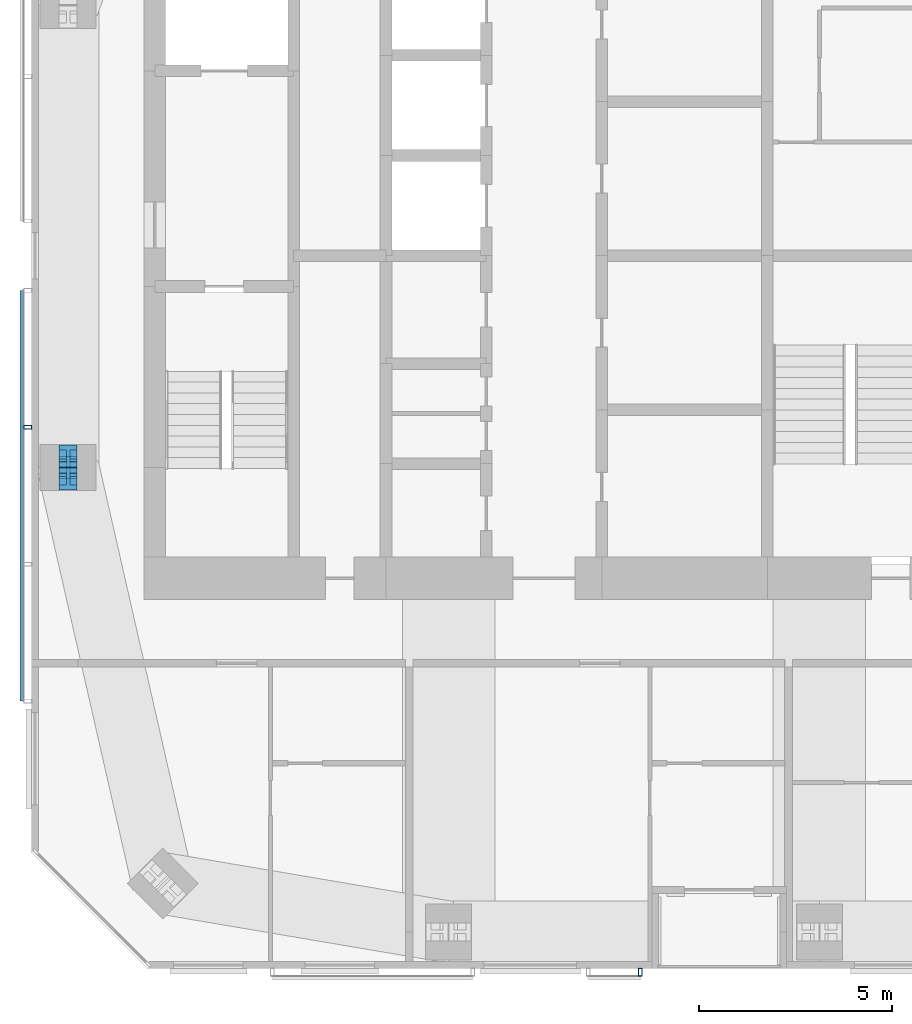
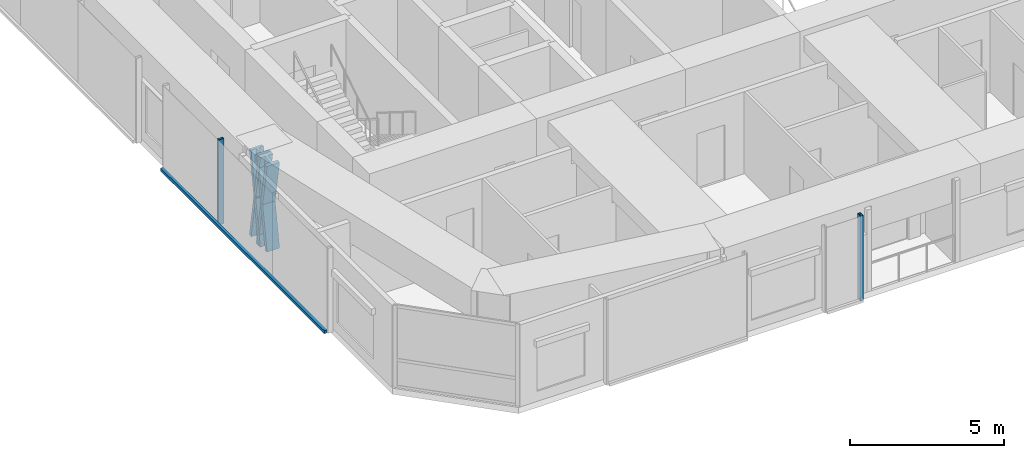
# One storey, part 4 of 20: 7 members, 2 elements without a shape of their own.
"""IFC4 building model written with IfcOpenShell, lengths in metres."""

from ifc_helpers import new_model, si_unit, direction, frame, origin, origin_2d, place, context, subcontext, project, spatial, rectangle, hollow_rectangle, i_section, extrude, material, material_profile, profile_set, type_object, element, aggregate, save


model = new_model("IFC4")

# Units and contexts
model_context = context("Model", 3, precision=1e-05, world=origin(), true_north=direction((0.0, 1.0)))
body_context = subcontext(model_context, "Body", "Model", "MODEL_VIEW")
ifc_project = project(units=[si_unit("LENGTHUNIT", "METRE"), si_unit("AREAUNIT", "SQUARE_METRE"), si_unit("VOLUMEUNIT", "CUBIC_METRE"), si_unit("PLANEANGLEUNIT", "RADIAN"), si_unit("MASSUNIT", "GRAM", prefix="KILO")], contexts=[model_context])

# Site, building, storey
site_placement = place(None, origin())
site = spatial("IfcSite", under=ifc_project, at=site_placement, CompositionType="ELEMENT")
building_placement = place(site_placement, origin())
building = spatial("IfcBuilding", under=site, at=building_placement, Name="Jalousie Tower", CompositionType="ELEMENT")
storey_placement = place(building_placement, frame((0.0, 0.0, 245.949951171875)))
storey = spatial("IfcBuildingStorey", under=building, at=storey_placement, Name="L67", CompositionType="ELEMENT", Elevation=245.949951171875)

# Members
ifc_material_1 = material(Name="Steel ASTM A992 Grade 50", Category="steel")
ifc_material_profile_1 = material_profile(ifc_material_1, i_section(OverallWidth=0.472412109375, OverallDepth=0.5791015625, WebThickness=0.094970703125, FlangeThickness=0.1298828125, at=origin_2d()), Name="W14X808")
ifc_profile_set_1 = profile_set([ifc_material_profile_1], Name="Steel ASTM A992 Grade 50")
member_type_1 = type_object("IfcMemberType", Name="PERIMETER BRACE W14X808", PredefinedType="BRACE", material=ifc_profile_set_1)
for number, where, z_axis, x_axis, name in (
    (1, (17.75, 12.699951171875, -0.599853515625), (0.0, 0.168990530437, 0.98561767467), (-1.0, 0.0, 0.0), "Perimeter brace 14 L67 part 1"),
    (2, (17.75, 13.0, 1.150146484375), (0.0, 0.168990530437, 0.98561767467), (-1.0, 0.0, 0.0), "Perimeter brace 14 L67 part 2"),
    (3, (17.75, 13.300048828125, -0.599853515625), (0.0, -0.168990530437, 0.98561767467), (1.0, 0.0, 0.0), "Perimeter brace 14 L67 part 3"),
    (4, (17.75, 13.0, 1.150146484375), (0.0, -0.168990530437, 0.98561767467), (1.0, 0.0, 0.0), "Perimeter brace 14 L67 part 4"),
):
    element("IfcMember", number, at=place(storey_placement, frame(where, z_axis=z_axis, x_axis=x_axis)), inside=storey, type_object=member_type_1, Name=name, PredefinedType="BRACE", context=body_context, shape_type="SweptSolid", body=[
        extrude(i_section(OverallWidth=0.472412109375, OverallDepth=0.5791015625, WebThickness=0.094970703125, FlangeThickness=0.1298828125, at=origin_2d()), origin(), (0.0, 0.0, 1.0), 1.775634765625),
    ])

# Curtain wall, member
ifc_material_2 = material(Name="Perforated aluminium sheet", Category="aluminium")
curtain_wall_type = type_object("IfcCurtainWallType", Name="SOLAR SCREEN SS-2", PredefinedType="USERDEFINED", material=ifc_material_2)
curtain_wall_1_placement = place(storey_placement, origin())
curtain_wall_1 = element("IfcCurtainWall", 5, at=curtain_wall_1_placement, inside=storey, type_object=curtain_wall_type, Name="Solar screen L67", ObjectType="SOLAR SCREEN SS-2", PredefinedType="USERDEFINED")
ifc_material_3 = material(Name="Steel ASTM A500 Grade C", Category="steel")
ifc_material_profile_2 = material_profile(ifc_material_3, hollow_rectangle(XDim=0.1015625, YDim=0.203125, WallThickness=0.0078125, at=origin_2d()), Name="HSS8X4X5/16")
ifc_profile_set_2 = profile_set([ifc_material_profile_2], Name="Steel ASTM A500 Grade C")
member_type_2 = type_object("IfcMemberType", Name="SOLAR SCREEN SS-2 MULLION", PredefinedType="MULLION", material=ifc_profile_set_2)
member_1_placement = place(storey_placement, frame((32.60009765625, -0.0966796875, -0.119873046875), z_axis=(0.0, 0.0, 1.0), x_axis=(1.0, 0.0, 0.0)))
member_1 = element("IfcMember", 6, at=member_1_placement, type_object=member_type_2, Name="SS2 post 2", PredefinedType="MULLION", context=body_context, shape_type="SweptSolid", body=[
    extrude(hollow_rectangle(XDim=0.1015625, YDim=0.203125, WallThickness=0.0078125, at=origin_2d()), origin(), (0.0, 0.0, 1.0), 3.3798828125),
])
aggregate(curtain_wall_1, [member_1])

# Curtain wall, members
curtain_wall_2_placement = place(storey_placement, origin())
curtain_wall_2 = element("IfcCurtainWall", 7, at=curtain_wall_2_placement, inside=storey, type_object=curtain_wall_type, Name="Solar screen L67", ObjectType="SOLAR SCREEN SS-2", PredefinedType="USERDEFINED")
member_2_placement = place(storey_placement, frame((16.703369140625, 14.0458984375, -0.119873046875), z_axis=(0.0, 0.0, 1.0), x_axis=(0.0, -1.0, 0.0)))
member_2 = element("IfcMember", 8, at=member_2_placement, type_object=member_type_2, Name="SS2 post 2", PredefinedType="MULLION", context=body_context, shape_type="SweptSolid", body=[
    extrude(hollow_rectangle(XDim=0.1015625, YDim=0.203125, WallThickness=0.0078125, at=origin_2d()), origin(), (0.0, 0.0, 1.0), 3.3798828125),
])
ifc_material_4 = material(Name="Extruded aluminium screen rail", Category="aluminium")
ifc_material_profile_3 = material_profile(ifc_material_4, rectangle(XDim=0.1015625, YDim=0.1201171875, at=origin_2d()), Name="RAIL 102x120")
ifc_profile_set_3 = profile_set([ifc_material_profile_3], Name="Extruded aluminium screen rail")
member_type_3 = type_object("IfcMemberType", Name="SOLAR SCREEN SS-2 TRANSOM", PredefinedType="USERDEFINED", material=ifc_profile_set_3)
member_3_placement = place(storey_placement, frame((16.551025390625, 17.60009765625, -0.06005859375), z_axis=(0.0, -1.0, 0.0), x_axis=(1.0, 0.0, 0.0)))
member_3 = element("IfcMember", 9, at=member_3_placement, type_object=member_type_3, Name="SS2 rail", ObjectType="TRANSOM", PredefinedType="USERDEFINED", context=body_context, shape_type="SweptSolid", body=[
    extrude(rectangle(XDim=0.1015625, YDim=0.1201171875, at=origin_2d()), origin(), (0.0, 0.0, 1.0), 10.662109375),
])
aggregate(curtain_wall_2, [member_2, member_3])

save(model, "model.ifc")
